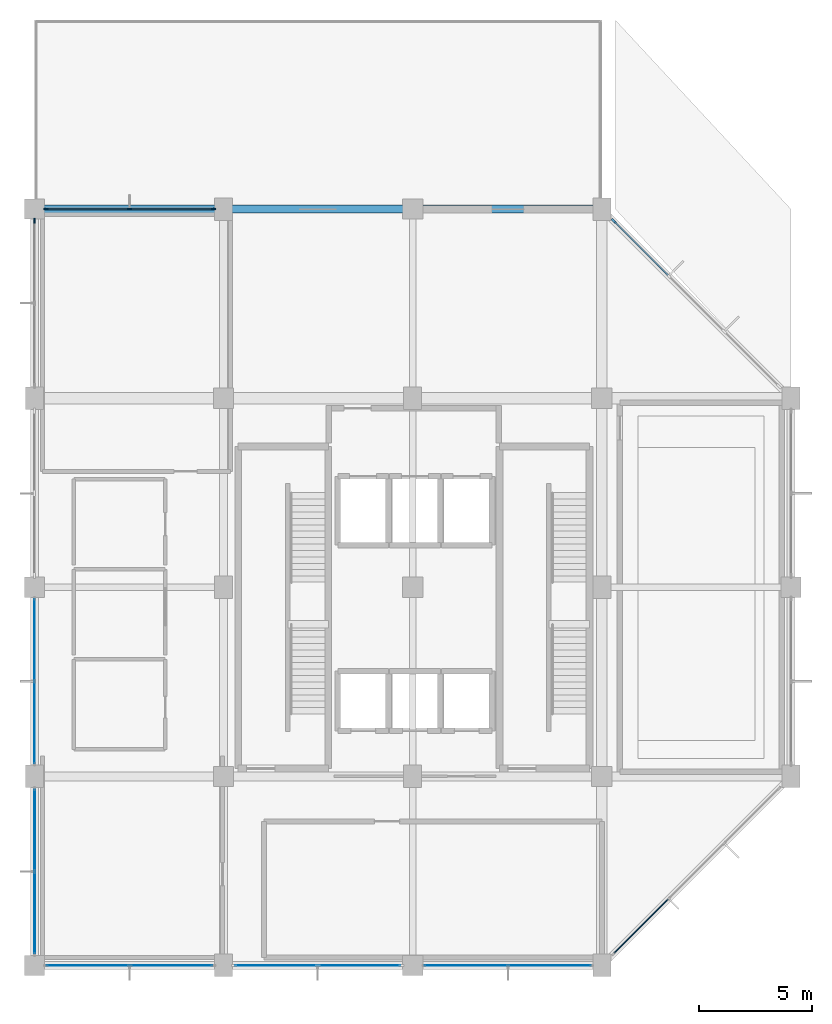
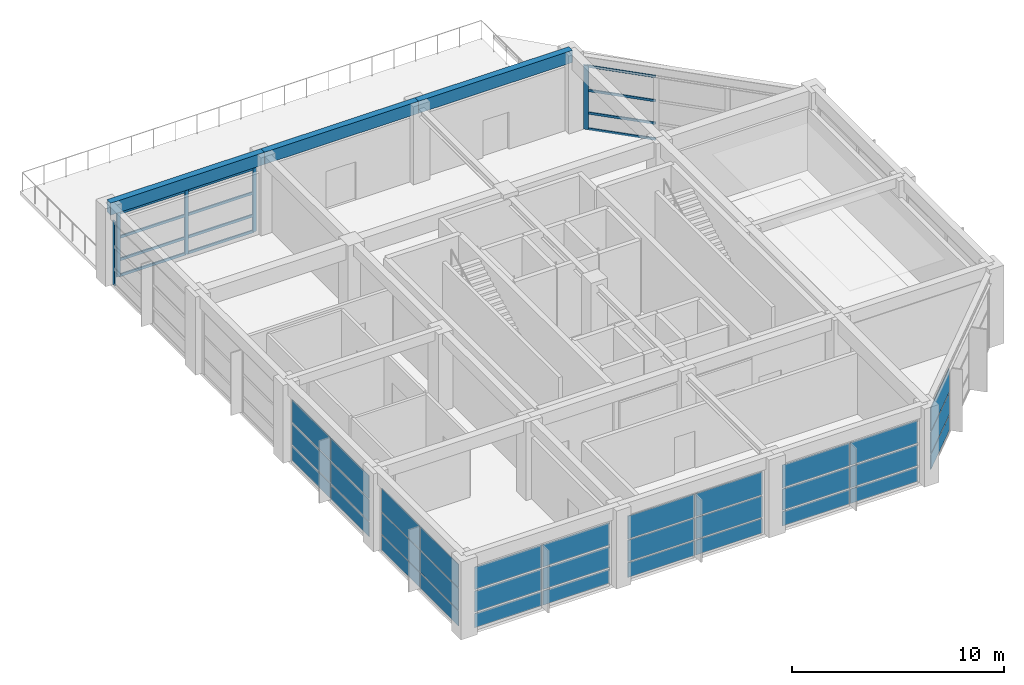
# One storey, part 6 of 10: 33 plates, 17 members, 3 beams, 9 elements without a shape of their own.
"""IFC4 building model written with IfcOpenShell, lengths in metres."""

from ifc_helpers import new_model, si_unit, direction, frame, origin, origin_2d, place, context, subcontext, project, spatial, rectangle, extrude, material, layer, layer_set, material_profile, profile_set, type_object, element, aggregate, save


model = new_model("IFC4")

# Units and contexts
model_context = context("Model", 3, precision=1e-05, world=origin(), true_north=direction((0.0, 1.0)))
body_context = subcontext(model_context, "Body", "Model", "MODEL_VIEW")
ifc_project = project(units=[si_unit("LENGTHUNIT", "METRE"), si_unit("AREAUNIT", "SQUARE_METRE"), si_unit("VOLUMEUNIT", "CUBIC_METRE"), si_unit("PLANEANGLEUNIT", "RADIAN"), si_unit("MASSUNIT", "GRAM", prefix="KILO")], contexts=[model_context])

# Site, building, storey
site_placement = place(None, origin())
site = spatial("IfcSite", under=ifc_project, at=site_placement, CompositionType="ELEMENT")
building_placement = place(site_placement, origin())
building = spatial("IfcBuilding", under=site, at=building_placement, Name="Xuanlan Plaza Opera House", CompositionType="ELEMENT")
storey_placement = place(building_placement, frame((0.0, 0.0, 69.89990234375)))
storey = spatial("IfcBuildingStorey", under=building, at=storey_placement, Name="L16", CompositionType="ELEMENT", Elevation=69.89990234375)

# Curtain wall, members
ifc_material_1 = material(Name="Anodised Aluminium 6063-T6 and Low-E Glass", Category="aluminium")
curtain_wall_type_1 = type_object("IfcCurtainWallType", Name="ENV-CW-CW-04", PredefinedType="USERDEFINED", material=ifc_material_1)
curtain_wall_1_placement = place(storey_placement, origin())
curtain_wall_1 = element("IfcCurtainWall", 1, at=curtain_wall_1_placement, inside=storey, type_object=curtain_wall_type_1, Name="Unitised Curtain Wall L16-010", ObjectType="UNITISED CURTAIN WALL", PredefinedType="USERDEFINED")
ifc_material_2 = material(Name="Anodised Aluminium 6063-T6", Category="aluminium")
ifc_material_profile_1 = material_profile(ifc_material_2, rectangle(XDim=0.074951171875, YDim=0.199951171875, at=origin_2d()), Name="ALU-M 75x200")
ifc_profile_set_1 = profile_set([ifc_material_profile_1], Name="Anodised Aluminium 6063-T6")
member_type_1 = type_object("IfcMemberType", Name="ENV-CWM-03", PredefinedType="MULLION", material=ifc_profile_set_1)
member_1_placement = place(storey_placement, frame((133.9423828125, 75.60009765625, 0.0), z_axis=(0.0, 0.0, 1.0), x_axis=(0.0, -1.0, 0.0)))
member_1 = element("IfcMember", 2, at=member_1_placement, type_object=member_type_1, Name="CW-04 mullion 1", PredefinedType="MULLION", context=body_context, shape_type="SweptSolid", body=[
    extrude(rectangle(XDim=0.074951171875, YDim=0.199951171875, at=origin_2d()), origin(), (0.0, 0.0, 1.0), 3.68017578125),
])
member_2_placement = place(storey_placement, frame((130.22509765625, 75.60009765625, 0.0), z_axis=(0.0, 0.0, 1.0), x_axis=(0.0, -1.0, 0.0)))
member_2 = element("IfcMember", 3, at=member_2_placement, type_object=member_type_1, Name="CW-04 mullion 2", PredefinedType="MULLION", context=body_context, shape_type="SweptSolid", body=[
    extrude(rectangle(XDim=0.074951171875, YDim=0.199951171875, at=origin_2d()), origin(), (0.0, 0.0, 1.0), 3.68017578125),
])
member_3_placement = place(storey_placement, frame((126.507568359375, 75.60009765625, 0.0), z_axis=(0.0, 0.0, 1.0), x_axis=(0.0, -1.0, 0.0)))
member_3 = element("IfcMember", 4, at=member_3_placement, type_object=member_type_1, Name="CW-04 mullion 3", PredefinedType="MULLION", context=body_context, shape_type="SweptSolid", body=[
    extrude(rectangle(XDim=0.074951171875, YDim=0.199951171875, at=origin_2d()), origin(), (0.0, 0.0, 1.0), 3.68017578125),
])

# Curtain wall, member
curtain_wall_type_2 = type_object("IfcCurtainWallType", Name="ENV-CW-CW-01", PredefinedType="USERDEFINED", material=ifc_material_1)
curtain_wall_2_placement = place(storey_placement, origin())
curtain_wall_2 = element("IfcCurtainWall", 5, at=curtain_wall_2_placement, inside=storey, type_object=curtain_wall_type_2, Name="Unitised Curtain Wall L16-011", ObjectType="UNITISED CURTAIN WALL", PredefinedType="USERDEFINED")
ifc_material_profile_2 = material_profile(ifc_material_2, rectangle(XDim=0.080078125, YDim=0.219970703125, at=origin_2d()), Name="ALU-M 80x220")
ifc_profile_set_2 = profile_set([ifc_material_profile_2], Name="Anodised Aluminium 6063-T6")
member_type_2 = type_object("IfcMemberType", Name="ENV-CWM-04", PredefinedType="MULLION", material=ifc_profile_set_2)
member_4_placement = place(storey_placement, frame((126.0, 75.090087890625, 0.0), z_axis=(0.0, 0.0, 1.0), x_axis=(1.0, 0.0, 0.0)))
member_4 = element("IfcMember", 6, at=member_4_placement, type_object=member_type_2, Name="CW-01 mullion 1", PredefinedType="MULLION", context=body_context, shape_type="SweptSolid", body=[
    extrude(rectangle(XDim=0.080078125, YDim=0.219970703125, at=origin_2d()), origin(), (0.0, 0.0, 1.0), 3.68017578125),
])
aggregate(curtain_wall_2, [member_4])

# Curtain wall, members
curtain_wall_3_placement = place(storey_placement, origin())
curtain_wall_3 = element("IfcCurtainWall", 7, at=curtain_wall_3_placement, inside=storey, type_object=curtain_wall_type_2, Name="Unitised Curtain Wall L16-007", ObjectType="UNITISED CURTAIN WALL", PredefinedType="USERDEFINED")
ifc_material_profile_3 = material_profile(ifc_material_2, rectangle(XDim=0.090087890625, YDim=0.25, at=origin_2d()), Name="ALU-M 90x250")
ifc_profile_set_3 = profile_set([ifc_material_profile_3], Name="Anodised Aluminium 6063-T6")
member_type_3 = type_object("IfcMemberType", Name="ENV-CWM-05", PredefinedType="MULLION", material=ifc_profile_set_3)
member_5_placement = place(storey_placement, frame((151.730712890625, 75.069091796875, 0.0), z_axis=(0.0, 0.0, 1.0), x_axis=(-0.707106781187, -0.707106781187, 0.0)))
member_5 = element("IfcMember", 8, at=member_5_placement, type_object=member_type_3, Name="CW-01 mullion 4", PredefinedType="MULLION", context=body_context, shape_type="SweptSolid", body=[
    extrude(rectangle(XDim=0.090087890625, YDim=0.25, at=origin_2d()), origin(), (0.0, 0.0, 1.0), 3.68017578125),
])
ifc_material_profile_4 = material_profile(ifc_material_2, rectangle(XDim=0.070068359375, YDim=0.135009765625, at=origin_2d()), Name="ALU-T 70x135")
ifc_profile_set_4 = profile_set([ifc_material_profile_4], Name="Anodised Aluminium 6063-T6")
member_type_4 = type_object("IfcMemberType", Name="ENV-CWT-02", PredefinedType="USERDEFINED", material=ifc_profile_set_4)
member_6_placement = place(storey_placement, frame((154.134521484375, 72.66552734375, 0.03515625), z_axis=(-0.707106781187, 0.707106781187, 0.0), x_axis=(-0.707106781187, -0.707106781187, 0.0)))
member_6 = element("IfcMember", 9, at=member_6_placement, type_object=member_type_4, Name="CW-01 transom 3.1", ObjectType="TRANSOM", PredefinedType="USERDEFINED", context=body_context, shape_type="SweptSolid", body=[
    extrude(rectangle(XDim=0.070068359375, YDim=0.135009765625, at=origin_2d()), origin(), (0.0, 0.0, 1.0), 3.354248046875),
])
member_7_placement = place(storey_placement, frame((154.134521484375, 72.66552734375, 0.9501953125), z_axis=(-0.707106781187, 0.707106781187, 0.0), x_axis=(-0.707106781187, -0.707106781187, 0.0)))
member_7 = element("IfcMember", 10, at=member_7_placement, type_object=member_type_4, Name="CW-01 transom 3.2", ObjectType="TRANSOM", PredefinedType="USERDEFINED", context=body_context, shape_type="SweptSolid", body=[
    extrude(rectangle(XDim=0.070068359375, YDim=0.135009765625, at=origin_2d()), origin(), (0.0, 0.0, 1.0), 3.354248046875),
])
member_8_placement = place(storey_placement, frame((154.134521484375, 72.66552734375, 2.25), z_axis=(-0.707106781187, 0.707106781187, 0.0), x_axis=(-0.707106781187, -0.707106781187, 0.0)))
member_8 = element("IfcMember", 11, at=member_8_placement, type_object=member_type_4, Name="CW-01 transom 3.3", ObjectType="TRANSOM", PredefinedType="USERDEFINED", context=body_context, shape_type="SweptSolid", body=[
    extrude(rectangle(XDim=0.070068359375, YDim=0.135009765625, at=origin_2d()), origin(), (0.0, 0.0, 1.0), 3.354248046875),
])
member_9_placement = place(storey_placement, frame((154.134521484375, 72.66552734375, 3.64501953125), z_axis=(-0.707106781187, 0.707106781187, 0.0), x_axis=(-0.707106781187, -0.707106781187, 0.0)))
member_9 = element("IfcMember", 12, at=member_9_placement, type_object=member_type_4, Name="CW-01 transom 3.4", ObjectType="TRANSOM", PredefinedType="USERDEFINED", context=body_context, shape_type="SweptSolid", body=[
    extrude(rectangle(XDim=0.070068359375, YDim=0.135009765625, at=origin_2d()), origin(), (0.0, 0.0, 1.0), 3.354248046875),
])
aggregate(curtain_wall_3, [member_5, member_6, member_7, member_8, member_9])

# Member
ifc_material_profile_5 = material_profile(ifc_material_2, rectangle(XDim=0.074951171875, YDim=0.14990234375, at=origin_2d()), Name="ALU-T 75x150")
ifc_profile_set_5 = profile_set([ifc_material_profile_5], Name="Anodised Aluminium 6063-T6")
member_type_5 = type_object("IfcMemberType", Name="ENV-CWT-03", PredefinedType="USERDEFINED", material=ifc_profile_set_5)
member_10_placement = place(storey_placement, frame((133.905029296875, 75.60009765625, 0.03759765625), z_axis=(-1.0, 0.0, 0.0), x_axis=(0.0, -1.0, 0.0)))
member_10 = element("IfcMember", 13, at=member_10_placement, type_object=member_type_5, Name="CW-04 transom 1.1", ObjectType="TRANSOM", PredefinedType="USERDEFINED", context=body_context, shape_type="SweptSolid", body=[
    extrude(rectangle(XDim=0.074951171875, YDim=0.14990234375, at=origin_2d()), origin(), (0.0, 0.0, 1.0), 3.642578125),
])

member_11_placement = place(storey_placement, frame((133.905029296875, 75.60009765625, 0.9501953125), z_axis=(-1.0, 0.0, 0.0), x_axis=(0.0, -1.0, 0.0)))
member_11 = element("IfcMember", 14, at=member_11_placement, type_object=member_type_5, Name="CW-04 transom 1.2", ObjectType="TRANSOM", PredefinedType="USERDEFINED", context=body_context, shape_type="SweptSolid", body=[
    extrude(rectangle(XDim=0.074951171875, YDim=0.14990234375, at=origin_2d()), origin(), (0.0, 0.0, 1.0), 3.642578125),
])

member_12_placement = place(storey_placement, frame((133.905029296875, 75.60009765625, 2.25), z_axis=(-1.0, 0.0, 0.0), x_axis=(0.0, -1.0, 0.0)))
member_12 = element("IfcMember", 15, at=member_12_placement, type_object=member_type_5, Name="CW-04 transom 1.3", ObjectType="TRANSOM", PredefinedType="USERDEFINED", context=body_context, shape_type="SweptSolid", body=[
    extrude(rectangle(XDim=0.074951171875, YDim=0.14990234375, at=origin_2d()), origin(), (0.0, 0.0, 1.0), 3.642578125),
])

member_13_placement = place(storey_placement, frame((133.905029296875, 75.60009765625, 3.642578125), z_axis=(-1.0, 0.0, 0.0), x_axis=(0.0, -1.0, 0.0)))
member_13 = element("IfcMember", 16, at=member_13_placement, type_object=member_type_5, Name="CW-04 transom 1.4", ObjectType="TRANSOM", PredefinedType="USERDEFINED", context=body_context, shape_type="SweptSolid", body=[
    extrude(rectangle(XDim=0.074951171875, YDim=0.14990234375, at=origin_2d()), origin(), (0.0, 0.0, 1.0), 3.642578125),
])

member_14_placement = place(storey_placement, frame((130.1875, 75.60009765625, 0.03759765625), z_axis=(-1.0, 0.0, 0.0), x_axis=(0.0, -1.0, 0.0)))
member_14 = element("IfcMember", 17, at=member_14_placement, type_object=member_type_5, Name="CW-04 transom 2.1", ObjectType="TRANSOM", PredefinedType="USERDEFINED", context=body_context, shape_type="SweptSolid", body=[
    extrude(rectangle(XDim=0.074951171875, YDim=0.14990234375, at=origin_2d()), origin(), (0.0, 0.0, 1.0), 3.642578125),
])

member_15_placement = place(storey_placement, frame((130.1875, 75.60009765625, 0.9501953125), z_axis=(-1.0, 0.0, 0.0), x_axis=(0.0, -1.0, 0.0)))
member_15 = element("IfcMember", 18, at=member_15_placement, type_object=member_type_5, Name="CW-04 transom 2.2", ObjectType="TRANSOM", PredefinedType="USERDEFINED", context=body_context, shape_type="SweptSolid", body=[
    extrude(rectangle(XDim=0.074951171875, YDim=0.14990234375, at=origin_2d()), origin(), (0.0, 0.0, 1.0), 3.642578125),
])

member_16_placement = place(storey_placement, frame((130.1875, 75.60009765625, 2.25), z_axis=(-1.0, 0.0, 0.0), x_axis=(0.0, -1.0, 0.0)))
member_16 = element("IfcMember", 19, at=member_16_placement, type_object=member_type_5, Name="CW-04 transom 2.3", ObjectType="TRANSOM", PredefinedType="USERDEFINED", context=body_context, shape_type="SweptSolid", body=[
    extrude(rectangle(XDim=0.074951171875, YDim=0.14990234375, at=origin_2d()), origin(), (0.0, 0.0, 1.0), 3.642578125),
])

member_17_placement = place(storey_placement, frame((130.1875, 75.60009765625, 3.642578125), z_axis=(-1.0, 0.0, 0.0), x_axis=(0.0, -1.0, 0.0)))
member_17 = element("IfcMember", 20, at=member_17_placement, type_object=member_type_5, Name="CW-04 transom 2.4", ObjectType="TRANSOM", PredefinedType="USERDEFINED", context=body_context, shape_type="SweptSolid", body=[
    extrude(rectangle(XDim=0.074951171875, YDim=0.14990234375, at=origin_2d()), origin(), (0.0, 0.0, 1.0), 3.642578125),
])

aggregate(curtain_wall_1, [member_1, member_2, member_3, member_10, member_11, member_12, member_13, member_14, member_15, member_16, member_17])

# Beams
ifc_material_3 = material(Name="Concrete C40", Category="concrete")
ifc_material_profile_6 = material_profile(ifc_material_3, rectangle(XDim=0.35009765625, YDim=0.699951171875, at=origin_2d()), Name="RC-SPD 350x700")
ifc_profile_set_6 = profile_set([ifc_material_profile_6], Name="Concrete C40")
beam_type = type_object("IfcBeamType", Name="STR-BM-SP-02", PredefinedType="SPANDREL", material=ifc_profile_set_6)
beam_1_placement = place(storey_placement, frame((126.0, 75.60009765625, 4.150146484375), z_axis=(1.0, 0.0, 0.0), x_axis=(0.0, 1.0, 0.0)))
element("IfcBeam", 21, at=beam_1_placement, inside=storey, type_object=beam_type, Name="Grid Beam X L16 16-17/J", PredefinedType="SPANDREL", context=body_context, shape_type="SweptSolid", body=[
    extrude(rectangle(XDim=0.35009765625, YDim=0.699951171875, at=origin_2d()), origin(), (0.0, 0.0, 1.0), 8.39990234375),
])
beam_2_placement = place(storey_placement, frame((134.39990234375, 75.60009765625, 4.150146484375), z_axis=(1.0, 0.0, 0.0), x_axis=(0.0, 1.0, 0.0)))
element("IfcBeam", 22, at=beam_2_placement, inside=storey, type_object=beam_type, Name="Grid Beam X L16 17-18/J", PredefinedType="SPANDREL", context=body_context, shape_type="SweptSolid", body=[
    extrude(rectangle(XDim=0.35009765625, YDim=0.699951171875, at=origin_2d()), origin(), (0.0, 0.0, 1.0), 8.400146484375),
])
beam_3_placement = place(storey_placement, frame((142.800048828125, 75.60009765625, 4.150146484375), z_axis=(1.0, 0.0, 0.0), x_axis=(0.0, 1.0, 0.0)))
element("IfcBeam", 23, at=beam_3_placement, inside=storey, type_object=beam_type, Name="Grid Beam X L16 18-19/J", PredefinedType="SPANDREL", context=body_context, shape_type="SweptSolid", body=[
    extrude(rectangle(XDim=0.35009765625, YDim=0.699951171875, at=origin_2d()), origin(), (0.0, 0.0, 1.0), 8.39990234375),
])

# Curtain wall, plates
curtain_wall_type_3 = type_object("IfcCurtainWallType", Name="ENV-CW-CW-03", PredefinedType="USERDEFINED", material=ifc_material_1)
curtain_wall_4_placement = place(storey_placement, origin())
curtain_wall_4 = element("IfcCurtainWall", 24, at=curtain_wall_4_placement, inside=storey, type_object=curtain_wall_type_3, Name="Unitised Curtain Wall L16-001", ObjectType="UNITISED CURTAIN WALL", PredefinedType="USERDEFINED")
ifc_material_4 = material(Name="Laminated Acoustic Double Glazing", Category="glass")
ifc_layer_1 = layer(ifc_material_4, 0.028076171875)
ifc_layer_set_1 = layer_set([ifc_layer_1], Name="Laminated Acoustic Double Glazing")
plate_type_1 = type_object("IfcPlateType", Name="ENV-CWP-01", PredefinedType="CURTAIN_PANEL", material=ifc_layer_set_1)
plate_1_placement = place(storey_placement, frame((128.367431640625, 42.0, 0.090087890625), z_axis=(0.0, 0.0, 1.0), x_axis=(1.0, 0.0, 0.0)))
plate_1 = element("IfcPlate", 25, at=plate_1_placement, type_object=plate_type_1, Name="CW-03 panel 1.1", PredefinedType="CURTAIN_PANEL", context=body_context, shape_type="SweptSolid", body=[
    extrude(rectangle(XDim=3.635009765625, YDim=0.028076171875, at=origin_2d()), origin(), (0.0, 0.0, 1.0), 0.81494140625),
])
plate_2_placement = place(storey_placement, frame((128.367431640625, 42.0, 0.9951171875), z_axis=(0.0, 0.0, 1.0), x_axis=(1.0, 0.0, 0.0)))
plate_2 = element("IfcPlate", 26, at=plate_2_placement, type_object=plate_type_1, Name="CW-03 panel 1.2", PredefinedType="CURTAIN_PANEL", context=body_context, shape_type="SweptSolid", body=[
    extrude(rectangle(XDim=3.635009765625, YDim=0.028076171875, at=origin_2d()), origin(), (0.0, 0.0, 1.0), 1.2099609375),
])
plate_3_placement = place(storey_placement, frame((128.367431640625, 42.0, 2.295166015625), z_axis=(0.0, 0.0, 1.0), x_axis=(1.0, 0.0, 0.0)))
plate_3 = element("IfcPlate", 27, at=plate_3_placement, type_object=plate_type_1, Name="CW-03 panel 1.3", PredefinedType="CURTAIN_PANEL", context=body_context, shape_type="SweptSolid", body=[
    extrude(rectangle(XDim=3.635009765625, YDim=0.028076171875, at=origin_2d()), origin(), (0.0, 0.0, 1.0), 1.294921875),
])
plate_4_placement = place(storey_placement, frame((132.08251953125, 42.0, 0.090087890625), z_axis=(0.0, 0.0, 1.0), x_axis=(1.0, 0.0, 0.0)))
plate_4 = element("IfcPlate", 28, at=plate_4_placement, type_object=plate_type_1, Name="CW-03 panel 2.1", PredefinedType="CURTAIN_PANEL", context=body_context, shape_type="SweptSolid", body=[
    extrude(rectangle(XDim=3.635009765625, YDim=0.028076171875, at=origin_2d()), origin(), (0.0, 0.0, 1.0), 0.81494140625),
])
plate_5_placement = place(storey_placement, frame((132.08251953125, 42.0, 0.9951171875), z_axis=(0.0, 0.0, 1.0), x_axis=(1.0, 0.0, 0.0)))
plate_5 = element("IfcPlate", 29, at=plate_5_placement, type_object=plate_type_1, Name="CW-03 panel 2.2", PredefinedType="CURTAIN_PANEL", context=body_context, shape_type="SweptSolid", body=[
    extrude(rectangle(XDim=3.635009765625, YDim=0.028076171875, at=origin_2d()), origin(), (0.0, 0.0, 1.0), 1.2099609375),
])
plate_6_placement = place(storey_placement, frame((132.08251953125, 42.0, 2.295166015625), z_axis=(0.0, 0.0, 1.0), x_axis=(1.0, 0.0, 0.0)))
plate_6 = element("IfcPlate", 30, at=plate_6_placement, type_object=plate_type_1, Name="CW-03 panel 2.3", PredefinedType="CURTAIN_PANEL", context=body_context, shape_type="SweptSolid", body=[
    extrude(rectangle(XDim=3.635009765625, YDim=0.028076171875, at=origin_2d()), origin(), (0.0, 0.0, 1.0), 1.294921875),
])
aggregate(curtain_wall_4, [plate_1, plate_2, plate_3, plate_4, plate_5, plate_6])

curtain_wall_5_placement = place(storey_placement, origin())
curtain_wall_5 = element("IfcCurtainWall", 31, at=curtain_wall_5_placement, inside=storey, type_object=curtain_wall_type_2, Name="Unitised Curtain Wall L16-003", ObjectType="UNITISED CURTAIN WALL", PredefinedType="USERDEFINED")
ifc_layer_2 = layer(ifc_material_4, 0.031982421875)
ifc_layer_set_2 = layer_set([ifc_layer_2], Name="Laminated Acoustic Double Glazing")
plate_type_2 = type_object("IfcPlateType", Name="ENV-CWP-02", PredefinedType="CURTAIN_PANEL", material=ifc_layer_set_2)
plate_7_placement = place(storey_placement, frame((145.163818359375, 42.0, 0.080078125), z_axis=(0.0, 0.0, 1.0), x_axis=(1.0, 0.0, 0.0)))
plate_7 = element("IfcPlate", 32, at=plate_7_placement, type_object=plate_type_2, Name="CW-01 panel 1.1", PredefinedType="CURTAIN_PANEL", context=body_context, shape_type="SweptSolid", body=[
    extrude(rectangle(XDim=3.657470703125, YDim=0.031982421875, at=origin_2d()), origin(), (0.0, 0.0, 1.0), 0.830078125),
])
plate_8_placement = place(storey_placement, frame((145.163818359375, 42.0, 0.990234375), z_axis=(0.0, 0.0, 1.0), x_axis=(1.0, 0.0, 0.0)))
plate_8 = element("IfcPlate", 33, at=plate_8_placement, type_object=plate_type_2, Name="CW-01 panel 1.2", PredefinedType="CURTAIN_PANEL", context=body_context, shape_type="SweptSolid", body=[
    extrude(rectangle(XDim=3.657470703125, YDim=0.031982421875, at=origin_2d()), origin(), (0.0, 0.0, 1.0), 1.219970703125),
])
plate_9_placement = place(storey_placement, frame((145.163818359375, 42.0, 2.2900390625), z_axis=(0.0, 0.0, 1.0), x_axis=(1.0, 0.0, 0.0)))
plate_9 = element("IfcPlate", 34, at=plate_9_placement, type_object=plate_type_2, Name="CW-01 panel 1.3", PredefinedType="CURTAIN_PANEL", context=body_context, shape_type="SweptSolid", body=[
    extrude(rectangle(XDim=3.657470703125, YDim=0.031982421875, at=origin_2d()), origin(), (0.0, 0.0, 1.0), 1.31005859375),
])
plate_10_placement = place(storey_placement, frame((148.88623046875, 42.0, 0.080078125), z_axis=(0.0, 0.0, 1.0), x_axis=(1.0, 0.0, 0.0)))
plate_10 = element("IfcPlate", 35, at=plate_10_placement, type_object=plate_type_2, Name="CW-01 panel 2.1", PredefinedType="CURTAIN_PANEL", context=body_context, shape_type="SweptSolid", body=[
    extrude(rectangle(XDim=3.657470703125, YDim=0.031982421875, at=origin_2d()), origin(), (0.0, 0.0, 1.0), 0.830078125),
])
plate_11_placement = place(storey_placement, frame((148.88623046875, 42.0, 0.990234375), z_axis=(0.0, 0.0, 1.0), x_axis=(1.0, 0.0, 0.0)))
plate_11 = element("IfcPlate", 36, at=plate_11_placement, type_object=plate_type_2, Name="CW-01 panel 2.2", PredefinedType="CURTAIN_PANEL", context=body_context, shape_type="SweptSolid", body=[
    extrude(rectangle(XDim=3.657470703125, YDim=0.031982421875, at=origin_2d()), origin(), (0.0, 0.0, 1.0), 1.219970703125),
])
plate_12_placement = place(storey_placement, frame((148.88623046875, 42.0, 2.2900390625), z_axis=(0.0, 0.0, 1.0), x_axis=(1.0, 0.0, 0.0)))
plate_12 = element("IfcPlate", 37, at=plate_12_placement, type_object=plate_type_2, Name="CW-01 panel 2.3", PredefinedType="CURTAIN_PANEL", context=body_context, shape_type="SweptSolid", body=[
    extrude(rectangle(XDim=3.657470703125, YDim=0.031982421875, at=origin_2d()), origin(), (0.0, 0.0, 1.0), 1.31005859375),
])
aggregate(curtain_wall_5, [plate_7, plate_8, plate_9, plate_10, plate_11, plate_12])

curtain_wall_6_placement = place(storey_placement, origin())
curtain_wall_6 = element("IfcCurtainWall", 38, at=curtain_wall_6_placement, inside=storey, type_object=curtain_wall_type_3, Name="Unitised Curtain Wall L16-013", ObjectType="UNITISED CURTAIN WALL", PredefinedType="USERDEFINED")
plate_13_placement = place(storey_placement, frame((126.0, 56.461181640625, 0.080078125), z_axis=(0.0, 0.0, 1.0), x_axis=(0.0, -1.0, 0.0)))
plate_13 = element("IfcPlate", 39, at=plate_13_placement, type_object=plate_type_2, Name="CW-03 panel 1.1", PredefinedType="CURTAIN_PANEL", context=body_context, shape_type="SweptSolid", body=[
    extrude(rectangle(XDim=3.607421875, YDim=0.031982421875, at=origin_2d()), origin(), (0.0, 0.0, 1.0), 0.830078125),
])
plate_14_placement = place(storey_placement, frame((126.0, 56.461181640625, 0.990234375), z_axis=(0.0, 0.0, 1.0), x_axis=(0.0, -1.0, 0.0)))
plate_14 = element("IfcPlate", 40, at=plate_14_placement, type_object=plate_type_2, Name="CW-03 panel 1.2", PredefinedType="CURTAIN_PANEL", context=body_context, shape_type="SweptSolid", body=[
    extrude(rectangle(XDim=3.607421875, YDim=0.031982421875, at=origin_2d()), origin(), (0.0, 0.0, 1.0), 1.219970703125),
])
plate_15_placement = place(storey_placement, frame((126.0, 56.461181640625, 2.2900390625), z_axis=(0.0, 0.0, 1.0), x_axis=(0.0, -1.0, 0.0)))
plate_15 = element("IfcPlate", 41, at=plate_15_placement, type_object=plate_type_2, Name="CW-03 panel 1.3", PredefinedType="CURTAIN_PANEL", context=body_context, shape_type="SweptSolid", body=[
    extrude(rectangle(XDim=3.607421875, YDim=0.031982421875, at=origin_2d()), origin(), (0.0, 0.0, 1.0), 1.31005859375),
])
plate_16_placement = place(storey_placement, frame((126.0, 52.788818359375, 0.080078125), z_axis=(0.0, 0.0, 1.0), x_axis=(0.0, -1.0, 0.0)))
plate_16 = element("IfcPlate", 42, at=plate_16_placement, type_object=plate_type_2, Name="CW-03 panel 2.1", PredefinedType="CURTAIN_PANEL", context=body_context, shape_type="SweptSolid", body=[
    extrude(rectangle(XDim=3.607421875, YDim=0.031982421875, at=origin_2d()), origin(), (0.0, 0.0, 1.0), 0.830078125),
])
plate_17_placement = place(storey_placement, frame((126.0, 52.788818359375, 0.990234375), z_axis=(0.0, 0.0, 1.0), x_axis=(0.0, -1.0, 0.0)))
plate_17 = element("IfcPlate", 43, at=plate_17_placement, type_object=plate_type_2, Name="CW-03 panel 2.2", PredefinedType="CURTAIN_PANEL", context=body_context, shape_type="SweptSolid", body=[
    extrude(rectangle(XDim=3.607421875, YDim=0.031982421875, at=origin_2d()), origin(), (0.0, 0.0, 1.0), 1.219970703125),
])
plate_18_placement = place(storey_placement, frame((126.0, 52.788818359375, 2.2900390625), z_axis=(0.0, 0.0, 1.0), x_axis=(0.0, -1.0, 0.0)))
plate_18 = element("IfcPlate", 44, at=plate_18_placement, type_object=plate_type_2, Name="CW-03 panel 2.3", PredefinedType="CURTAIN_PANEL", context=body_context, shape_type="SweptSolid", body=[
    extrude(rectangle(XDim=3.607421875, YDim=0.031982421875, at=origin_2d()), origin(), (0.0, 0.0, 1.0), 1.31005859375),
])
aggregate(curtain_wall_6, [plate_13, plate_14, plate_15, plate_16, plate_17, plate_18])

curtain_wall_7_placement = place(storey_placement, origin())
curtain_wall_7 = element("IfcCurtainWall", 45, at=curtain_wall_7_placement, inside=storey, type_object=curtain_wall_type_1, Name="Unitised Curtain Wall L16-002", ObjectType="UNITISED CURTAIN WALL", PredefinedType="USERDEFINED")
ifc_layer_3 = layer(ifc_material_4, 0.0400390625)
ifc_layer_set_3 = layer_set([ifc_layer_3], Name="Laminated Acoustic Double Glazing")
plate_type_3 = type_object("IfcPlateType", Name="ENV-CWP-04", PredefinedType="CURTAIN_PANEL", material=ifc_layer_set_3)
plate_19_placement = place(storey_placement, frame((136.719970703125, 42.0, 0.0703125), z_axis=(0.0, 0.0, 1.0), x_axis=(1.0, 0.0, 0.0)))
plate_19 = element("IfcPlate", 46, at=plate_19_placement, type_object=plate_type_3, Name="CW-04 panel 1.1", PredefinedType="CURTAIN_PANEL", context=body_context, shape_type="SweptSolid", body=[
    extrude(rectangle(XDim=3.6201171875, YDim=0.0400390625, at=origin_2d()), origin(), (0.0, 0.0, 1.0), 0.844970703125),
])
plate_20_placement = place(storey_placement, frame((136.719970703125, 42.0, 0.985107421875), z_axis=(0.0, 0.0, 1.0), x_axis=(1.0, 0.0, 0.0)))
plate_20 = element("IfcPlate", 47, at=plate_20_placement, type_object=plate_type_3, Name="CW-04 panel 1.2", PredefinedType="CURTAIN_PANEL", context=body_context, shape_type="SweptSolid", body=[
    extrude(rectangle(XDim=3.6201171875, YDim=0.0400390625, at=origin_2d()), origin(), (0.0, 0.0, 1.0), 1.22998046875),
])
plate_21_placement = place(storey_placement, frame((136.719970703125, 42.0, 2.28515625), z_axis=(0.0, 0.0, 1.0), x_axis=(1.0, 0.0, 0.0)))
plate_21 = element("IfcPlate", 48, at=plate_21_placement, type_object=plate_type_3, Name="CW-04 panel 1.3", PredefinedType="CURTAIN_PANEL", context=body_context, shape_type="SweptSolid", body=[
    extrude(rectangle(XDim=3.6201171875, YDim=0.0400390625, at=origin_2d()), origin(), (0.0, 0.0, 1.0), 1.324951171875),
])
plate_22_placement = place(storey_placement, frame((140.429931640625, 42.0, 0.0703125), z_axis=(0.0, 0.0, 1.0), x_axis=(1.0, 0.0, 0.0)))
plate_22 = element("IfcPlate", 49, at=plate_22_placement, type_object=plate_type_3, Name="CW-04 panel 2.1", PredefinedType="CURTAIN_PANEL", context=body_context, shape_type="SweptSolid", body=[
    extrude(rectangle(XDim=3.6201171875, YDim=0.0400390625, at=origin_2d()), origin(), (0.0, 0.0, 1.0), 0.844970703125),
])
plate_23_placement = place(storey_placement, frame((140.429931640625, 42.0, 0.985107421875), z_axis=(0.0, 0.0, 1.0), x_axis=(1.0, 0.0, 0.0)))
plate_23 = element("IfcPlate", 50, at=plate_23_placement, type_object=plate_type_3, Name="CW-04 panel 2.2", PredefinedType="CURTAIN_PANEL", context=body_context, shape_type="SweptSolid", body=[
    extrude(rectangle(XDim=3.6201171875, YDim=0.0400390625, at=origin_2d()), origin(), (0.0, 0.0, 1.0), 1.22998046875),
])
plate_24_placement = place(storey_placement, frame((140.429931640625, 42.0, 2.28515625), z_axis=(0.0, 0.0, 1.0), x_axis=(1.0, 0.0, 0.0)))
plate_24 = element("IfcPlate", 51, at=plate_24_placement, type_object=plate_type_3, Name="CW-04 panel 2.3", PredefinedType="CURTAIN_PANEL", context=body_context, shape_type="SweptSolid", body=[
    extrude(rectangle(XDim=3.6201171875, YDim=0.0400390625, at=origin_2d()), origin(), (0.0, 0.0, 1.0), 1.324951171875),
])
aggregate(curtain_wall_7, [plate_19, plate_20, plate_21, plate_22, plate_23, plate_24])

curtain_wall_type_4 = type_object("IfcCurtainWallType", Name="ENV-CW-CW-02", PredefinedType="USERDEFINED", material=ifc_material_1)
curtain_wall_8_placement = place(storey_placement, origin())
curtain_wall_8 = element("IfcCurtainWall", 52, at=curtain_wall_8_placement, inside=storey, type_object=curtain_wall_type_4, Name="Unitised Curtain Wall L16-004", ObjectType="UNITISED CURTAIN WALL", PredefinedType="USERDEFINED")
ifc_layer_4 = layer(ifc_material_4, 0.0439453125)
ifc_layer_set_4 = layer_set([ifc_layer_4], Name="Laminated Acoustic Double Glazing")
plate_type_4 = type_object("IfcPlateType", Name="ENV-CWP-05", PredefinedType="CURTAIN_PANEL", material=ifc_layer_set_4)
plate_25_placement = place(storey_placement, frame((152.945068359375, 43.7451171875, 0.065185546875), z_axis=(0.0, 0.0, 1.0), x_axis=(0.707106781187, 0.707106781187, 0.0)))
plate_25 = element("IfcPlate", 53, at=plate_25_placement, type_object=plate_type_4, Name="CW-02 panel 1.1", PredefinedType="CURTAIN_PANEL", context=body_context, shape_type="SweptSolid", body=[
    extrude(rectangle(XDim=3.38427734375, YDim=0.0439453125, at=origin_2d()), origin(), (0.0, 0.0, 1.0), 0.8525390625),
])
plate_26_placement = place(storey_placement, frame((152.945068359375, 43.7451171875, 0.982421875), z_axis=(0.0, 0.0, 1.0), x_axis=(0.707106781187, 0.707106781187, 0.0)))
plate_26 = element("IfcPlate", 54, at=plate_26_placement, type_object=plate_type_4, Name="CW-02 panel 1.2", PredefinedType="CURTAIN_PANEL", context=body_context, shape_type="SweptSolid", body=[
    extrude(rectangle(XDim=3.38427734375, YDim=0.0439453125, at=origin_2d()), origin(), (0.0, 0.0, 1.0), 1.235107421875),
])
plate_27_placement = place(storey_placement, frame((152.945068359375, 43.7451171875, 2.282470703125), z_axis=(0.0, 0.0, 1.0), x_axis=(0.707106781187, 0.707106781187, 0.0)))
plate_27 = element("IfcPlate", 55, at=plate_27_placement, type_object=plate_type_4, Name="CW-02 panel 1.3", PredefinedType="CURTAIN_PANEL", context=body_context, shape_type="SweptSolid", body=[
    extrude(rectangle(XDim=3.38427734375, YDim=0.0439453125, at=origin_2d()), origin(), (0.0, 0.0, 1.0), 1.33251953125),
])
aggregate(curtain_wall_8, [plate_25, plate_26, plate_27])

curtain_wall_9_placement = place(storey_placement, origin())
curtain_wall_9 = element("IfcCurtainWall", 56, at=curtain_wall_9_placement, inside=storey, type_object=curtain_wall_type_1, Name="Unitised Curtain Wall L16-014", ObjectType="UNITISED CURTAIN WALL", PredefinedType="USERDEFINED")
plate_28_placement = place(storey_placement, frame((126.0, 48.010009765625, 0.065185546875), z_axis=(0.0, 0.0, 1.0), x_axis=(0.0, -1.0, 0.0)))
plate_28 = element("IfcPlate", 57, at=plate_28_placement, type_object=plate_type_4, Name="CW-04 panel 1.1", PredefinedType="CURTAIN_PANEL", context=body_context, shape_type="SweptSolid", body=[
    extrude(rectangle(XDim=3.60009765625, YDim=0.0439453125, at=origin_2d()), origin(), (0.0, 0.0, 1.0), 0.8525390625),
])
plate_29_placement = place(storey_placement, frame((126.0, 48.010009765625, 0.982421875), z_axis=(0.0, 0.0, 1.0), x_axis=(0.0, -1.0, 0.0)))
plate_29 = element("IfcPlate", 58, at=plate_29_placement, type_object=plate_type_4, Name="CW-04 panel 1.2", PredefinedType="CURTAIN_PANEL", context=body_context, shape_type="SweptSolid", body=[
    extrude(rectangle(XDim=3.60009765625, YDim=0.0439453125, at=origin_2d()), origin(), (0.0, 0.0, 1.0), 1.235107421875),
])
plate_30_placement = place(storey_placement, frame((126.0, 48.010009765625, 2.282470703125), z_axis=(0.0, 0.0, 1.0), x_axis=(0.0, -1.0, 0.0)))
plate_30 = element("IfcPlate", 59, at=plate_30_placement, type_object=plate_type_4, Name="CW-04 panel 1.3", PredefinedType="CURTAIN_PANEL", context=body_context, shape_type="SweptSolid", body=[
    extrude(rectangle(XDim=3.60009765625, YDim=0.0439453125, at=origin_2d()), origin(), (0.0, 0.0, 1.0), 1.33251953125),
])
plate_31_placement = place(storey_placement, frame((126.0, 44.340087890625, 0.065185546875), z_axis=(0.0, 0.0, 1.0), x_axis=(0.0, -1.0, 0.0)))
plate_31 = element("IfcPlate", 60, at=plate_31_placement, type_object=plate_type_4, Name="CW-04 panel 2.1", PredefinedType="CURTAIN_PANEL", context=body_context, shape_type="SweptSolid", body=[
    extrude(rectangle(XDim=3.60009765625, YDim=0.0439453125, at=origin_2d()), origin(), (0.0, 0.0, 1.0), 0.8525390625),
])
plate_32_placement = place(storey_placement, frame((126.0, 44.340087890625, 0.982421875), z_axis=(0.0, 0.0, 1.0), x_axis=(0.0, -1.0, 0.0)))
plate_32 = element("IfcPlate", 61, at=plate_32_placement, type_object=plate_type_4, Name="CW-04 panel 2.2", PredefinedType="CURTAIN_PANEL", context=body_context, shape_type="SweptSolid", body=[
    extrude(rectangle(XDim=3.60009765625, YDim=0.0439453125, at=origin_2d()), origin(), (0.0, 0.0, 1.0), 1.235107421875),
])
plate_33_placement = place(storey_placement, frame((126.0, 44.340087890625, 2.282470703125), z_axis=(0.0, 0.0, 1.0), x_axis=(0.0, -1.0, 0.0)))
plate_33 = element("IfcPlate", 62, at=plate_33_placement, type_object=plate_type_4, Name="CW-04 panel 2.3", PredefinedType="CURTAIN_PANEL", context=body_context, shape_type="SweptSolid", body=[
    extrude(rectangle(XDim=3.60009765625, YDim=0.0439453125, at=origin_2d()), origin(), (0.0, 0.0, 1.0), 1.33251953125),
])
aggregate(curtain_wall_9, [plate_28, plate_29, plate_30, plate_31, plate_32, plate_33])

save(model, "model.ifc")
